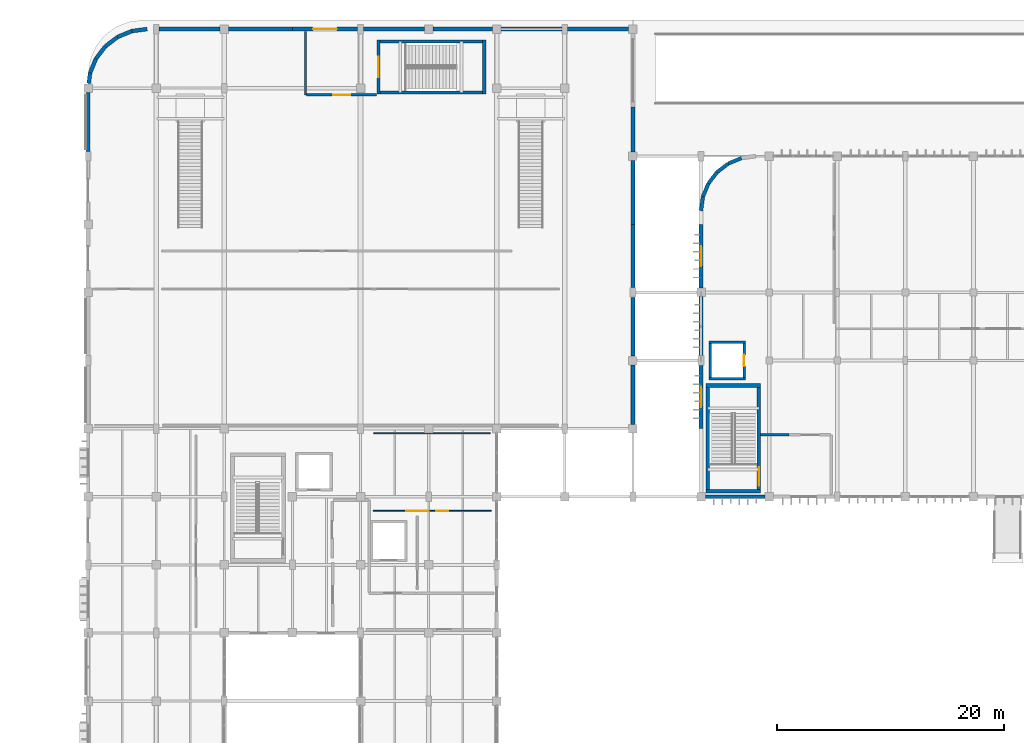
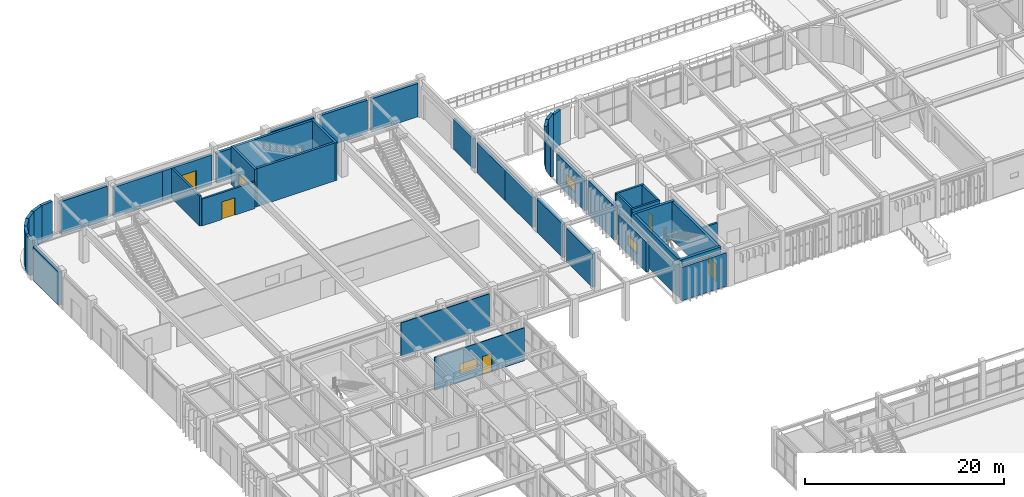
# One storey, part 46 of 76: 45 walls, 6 doors, 3 windows, 9 openings.
"""IFC4 building model written with IfcOpenShell, lengths in metres."""

import ifcopenshell
import ifcopenshell.guid

model = None  # the IFC model being written
_history = None  # IfcOwnerHistory: only IFC2X3 demands one
_inside = {}  # id of a spatial element -> (the spatial element, [elements in it])
_under = {}  # id of a project, library or spatial element -> (it, [spatial elements below it])
_declared = {}  # id of a project -> (the project, [libraries it declares])
_typed = {}  # id of a type object -> (the type object, [elements of that type])
_made_of = {}  # id of a material, layer set ... -> (it, [elements and type objects made of it])


def new_model(schema):
    """Start an empty IFC model of exactly this schema.

    Asked for "IFC4X3", IfcOpenShell would pick the latest addendum, in which some entities
    have other attributes; the version numbers below select the first issue.
    IFC2X3 requires an IfcOwnerHistory on every rooted entity: one is made here for all.
    """
    global model, _history
    if schema == "IFC4X3":
        model = ifcopenshell.file(schema_version=(4, 3, 0, 0))
    else:
        model = ifcopenshell.file(schema=schema)
    _inside.clear()
    _under.clear()
    _declared.clear()
    _typed.clear()
    _made_of.clear()
    _history = None
    if model.schema == "IFC2X3":
        org = make("IfcOrganization", Name="unknown")
        user = make(
            "IfcPersonAndOrganization",
            ThePerson=make("IfcPerson", FamilyName="unknown"),
            TheOrganization=org,
        )
        app = make(
            "IfcApplication",
            ApplicationDeveloper=org,
            Version="unknown",
            ApplicationFullName="unknown",
            ApplicationIdentifier="unknown",
        )
        _history = make(
            "IfcOwnerHistory",
            OwningUser=user,
            OwningApplication=app,
            ChangeAction="ADDED",
            CreationDate=0,
        )
    return model


def make(cls, **values):
    """One entity of the class cls with the attributes given. An attribute that is None is left unset."""
    return model.create_entity(
        cls, **{name: value for name, value in values.items() if value is not None}
    )


def rooted(cls, **values):
    """An entity with a GlobalId (a new one), such as an element, a storey or a relation."""
    return make(cls, GlobalId=ifcopenshell.guid.new(), OwnerHistory=_history, **values)


def si_unit(unit_type, name, prefix=None):
    """IfcSIUnit, for example si_unit("LENGTHUNIT", "METRE", prefix="MILLI")."""
    return make("IfcSIUnit", UnitType=unit_type, Prefix=prefix, Name=name)


def assignment(units):
    """IfcUnitAssignment: the units of a project."""
    return None if units is None else make("IfcUnitAssignment", Units=units)


def point(xyz):
    """IfcCartesianPoint."""
    return None if xyz is None else make("IfcCartesianPoint", Coordinates=xyz)


def direction(xyz):
    """IfcDirection."""
    return None if xyz is None else make("IfcDirection", DirectionRatios=xyz)


def frame(location, z_axis=None, x_axis=None):
    """IfcAxis2Placement3D, a coordinate frame: its origin and axes. An axis left out is left unset."""
    return make(
        "IfcAxis2Placement3D",
        Location=point(location),
        Axis=direction(z_axis),
        RefDirection=direction(x_axis),
    )


def frame_2d(location, x_axis=None):
    """IfcAxis2Placement2D, a coordinate frame in the plane: its origin and x axis."""
    return make(
        "IfcAxis2Placement2D", Location=point(location), RefDirection=direction(x_axis)
    )


def origin():
    """The frame at (0, 0, 0) with its axes left unset."""
    return frame((0.0, 0.0, 0.0))


def place(relative_to, where):
    """IfcLocalPlacement: puts the frame where relative to a parent placement (None: the world)."""
    return make(
        "IfcLocalPlacement", PlacementRelTo=relative_to, RelativePlacement=where
    )


def context(
    kind, dimensions, precision=None, world=None, true_north=None, identifier=None
):
    """IfcGeometricRepresentationContext, for example the 3D "Model" context."""
    return make(
        "IfcGeometricRepresentationContext",
        ContextIdentifier=identifier,
        ContextType=kind,
        CoordinateSpaceDimension=dimensions,
        Precision=precision,
        WorldCoordinateSystem=world,
        TrueNorth=true_north,
    )


def subcontext(parent, identifier, kind, view, scale=None):
    """IfcGeometricRepresentationSubContext, for example "Body" below "Model"."""
    return make(
        "IfcGeometricRepresentationSubContext",
        ContextIdentifier=identifier,
        ContextType=kind,
        ParentContext=parent,
        TargetScale=scale,
        TargetView=view,
    )


def project(units=None, contexts=None):
    """IfcProject with its units and contexts."""
    return rooted(
        "IfcProject",
        Name="project",
        RepresentationContexts=contexts,
        UnitsInContext=assignment(units),
    )


def spatial(cls, under=None, at=None, **own):
    """A site, building, storey or space (cls), placed at a placement, below another one or the project."""
    s = rooted(cls, ObjectPlacement=at, **own)
    if under is not None:
        _under.setdefault(under.id(), (under, []))[1].append(s)
    return s


def profile(cls, at=None, kind="AREA", **sizes):
    """A parametric profile (cls). Its sizes go by their IFC names, for example OverallWidth=200.0."""
    return make(cls, ProfileType=kind, Position=at, **sizes)


def rectangle(**sizes):
    """IfcRectangleProfileDef."""
    return profile("IfcRectangleProfileDef", **sizes)


def extrude(swept, where, along, depth):
    """IfcExtrudedAreaSolid: the profile swept, set in the frame where, extruded along a direction by depth."""
    return make(
        "IfcExtrudedAreaSolid",
        SweptArea=swept,
        Position=where,
        ExtrudedDirection=direction(along),
        Depth=depth,
    )


def shape(context_of_items, identifier, shape_type, items):
    """IfcShapeRepresentation: the items that make up one representation, for example the "Body"."""
    return make(
        "IfcShapeRepresentation",
        ContextOfItems=context_of_items,
        RepresentationIdentifier=identifier,
        RepresentationType=shape_type,
        Items=items,
    )


def material(Name=None, Category=None):
    """IfcMaterial."""
    return make("IfcMaterial", Name=Name, Category=Category)


def layer(
    of_material, thickness, ventilated=None, Name=None, Category=None, Priority=None
):
    """IfcMaterialLayer: one layer of a wall or slab, of a material (None: an air gap)."""
    return make(
        "IfcMaterialLayer",
        Material=of_material,
        LayerThickness=thickness,
        IsVentilated=ventilated,
        Name=Name,
        Category=Category,
        Priority=Priority,
    )


def layer_set(layers, Name=None):
    """IfcMaterialLayerSet."""
    return make("IfcMaterialLayerSet", MaterialLayers=layers, LayerSetName=Name)


def made_of(thing, what):
    """Note that an element or type object is made of a material, layer set ...; save() writes the relation."""
    if what is not None:
        _made_of.setdefault(what.id(), (what, []))[1].append(thing)
    return thing


def type_object(cls, material=None, **own):
    """A type object (cls), such as IfcWallType, which elements share."""
    return made_of(rooted(cls, **own), material)


def element(
    cls,
    number,
    at=None,
    inside=None,
    cuts=None,
    type_object=None,
    material=None,
    context=None,
    identifier="Body",
    shape_type=None,
    held_by="IfcProductDefinitionShape",
    body=None,
    shapes=None,
    **own,
):
    """One element of the class cls, such as IfcWall. Its Tag is "e" and its number.

    at: its placement. inside: the storey or other place that contains it. cuts: it is an
    opening in that element (IfcRelVoidsElement). A single representation is given by context,
    identifier, shape_type and body (its items); several are given by shapes. held_by: the class
    of the entity that holds the representations. save() writes the other relations.
    """
    e = rooted(cls, Tag="e%d" % number, ObjectPlacement=at, **own)
    if body is not None:
        shapes = [shape(context, identifier, shape_type, body)]
    if shapes is not None:
        e.Representation = make(held_by, Representations=shapes)
    if inside is not None:
        _inside.setdefault(inside.id(), (inside, []))[1].append(e)
    if cuts is not None:
        rooted(
            "IfcRelVoidsElement", RelatingBuildingElement=cuts, RelatedOpeningElement=e
        )
    if type_object is not None:
        _typed.setdefault(type_object.id(), (type_object, []))[1].append(e)
    return made_of(e, material)


def fill(opening, filler):
    """IfcRelFillsElement: the door or window that sits in an opening."""
    return rooted(
        "IfcRelFillsElement",
        RelatingOpeningElement=opening,
        RelatedBuildingElement=filler,
    )


def aggregate(whole, parts):
    """IfcRelAggregates: a whole, such as a stair, and the parts it consists of."""
    return rooted("IfcRelAggregates", RelatingObject=whole, RelatedObjects=parts)


def save(model, path):
    """Write the relations noted so far, then the file.

    IfcRelAggregates (storeys below a building ...), IfcRelContainedInSpatialStructure (elements
    in a storey), IfcRelDefinesByType, IfcRelAssociatesMaterial and IfcRelDeclares: one each for
    every whole, place, type object, material and project.
    """
    for whole, parts in _under.values():
        aggregate(whole, parts)
    for where, things in _inside.values():
        rooted(
            "IfcRelContainedInSpatialStructure",
            RelatedElements=things,
            RelatingStructure=where,
        )
    for kind, things in _typed.values():
        rooted("IfcRelDefinesByType", RelatedObjects=things, RelatingType=kind)
    for what, things in _made_of.values():
        rooted("IfcRelAssociatesMaterial", RelatedObjects=things, RelatingMaterial=what)
    for by, libraries in _declared.values():
        rooted("IfcRelDeclares", RelatingContext=by, RelatedDefinitions=libraries)
    model.write(path)


model = new_model("IFC4")

# Units and contexts
model_context = context("Model", 3, precision=1e-05, world=origin(), true_north=direction((0.0, 1.0)))
body_context = subcontext(model_context, "Body", "Model", "MODEL_VIEW")
ifc_project = project(units=[si_unit("LENGTHUNIT", "METRE"), si_unit("AREAUNIT", "SQUARE_METRE"), si_unit("VOLUMEUNIT", "CUBIC_METRE"), si_unit("PLANEANGLEUNIT", "RADIAN"), si_unit("MASSUNIT", "GRAM", prefix="KILO")], contexts=[model_context])

# Site, building, storey
site_placement = place(None, origin())
site = spatial("IfcSite", under=ifc_project, at=site_placement, CompositionType="ELEMENT")
building_placement = place(site_placement, origin())
building = spatial("IfcBuilding", under=site, at=building_placement, Name="Varnakota Square Police Headquarters", CompositionType="ELEMENT")
storey_placement = place(building_placement, origin())
storey = spatial("IfcBuildingStorey", under=building, at=storey_placement, Name="L00", CompositionType="ELEMENT", Elevation=0.0)

# Wall
ifc_material_1 = material(Name="Concrete M40", Category="concrete")
ifc_layer_1 = layer(ifc_material_1, 0.22998046875, Name="Concrete M40")
ifc_layer_set_1 = layer_set([ifc_layer_1], Name="Concrete M40")
wall_type_1 = type_object("IfcWallType", Name="WL-CORE-230", PredefinedType="SHEAR", material=ifc_layer_set_1)
wall_1_placement = place(storey_placement, frame((60.68505859375, 79.39990234375, 0.0), z_axis=(0.0, 0.0, 1.0), x_axis=(1.0, 0.0, 0.0)))
element("IfcWall", 1, at=wall_1_placement, inside=storey, type_object=wall_type_1, Name="Lift shaft wall LF-P4 L00 S", PredefinedType="SHEAR", context=body_context, shape_type="SweptSolid", body=[
    extrude(rectangle(XDim=3.22998046875, YDim=0.22998046875, at=frame_2d((1.614990234375, 0.0))), origin(), (0.0, 0.0, 1.0), 4.800048828125),
])

# Wall, opening, door
wall_2_placement = place(storey_placement, frame((63.800048828125, 79.284912109375, 0.0), z_axis=(0.0, 0.0, 1.0), x_axis=(0.0, 1.0, 0.0)))
wall_2 = element("IfcWall", 2, at=wall_2_placement, inside=storey, type_object=wall_type_1, Name="Lift shaft wall LF-P4 L00 E", PredefinedType="SHEAR", context=body_context, shape_type="SweptSolid", body=[
    extrude(rectangle(XDim=3.43017578125, YDim=0.22998046875, at=frame_2d((1.715087890625, 0.0))), origin(), (0.0, 0.0, 1.0), 4.800048828125),
])
opening_1_placement = place(wall_2_placement, frame((1.215087890625, 0.0, 0.0)))
opening_1 = element("IfcOpeningElement", 3, at=opening_1_placement, cuts=wall_2, Name="Opening LD039", PredefinedType="OPENING", context=body_context, shape_type="SweptSolid", body=[
    extrude(rectangle(XDim=1.0, YDim=2.14990234375, at=frame_2d((0.5, 1.074951171875))), frame((0.0, 0.125, 0.0), z_axis=(0.0, -1.0, 0.0), x_axis=(1.0, 0.0, 0.0)), (0.0, 0.0, 1.0), 0.25),
])
ifc_material_2 = material(Name="Brushed Grade 316 Stainless Steel", Category="steel")
door_type_1 = type_object("IfcDoorType", Name="DR-LD-PAX", OperationType="NOTDEFINED", PredefinedType="DOOR", material=ifc_material_2)
door_1_placement = place(opening_1_placement, origin())
door_1 = element("IfcDoor", 4, at=door_1_placement, inside=storey, type_object=door_type_1, Name="Lift sliding landing door LD039", OperationType="SLIDING_TO_LEFT", OverallHeight=2.14990234375, OverallWidth=1.0, PredefinedType="DOOR", context=body_context, shape_type="SweptSolid", body=[
    extrude(rectangle(XDim=1.0, YDim=2.14990234375, at=frame_2d((0.5, 1.074951171875))), frame((0.0, 0.02490234375, 0.0), z_axis=(0.0, -1.0, 0.0), x_axis=(1.0, 0.0, 0.0)), (0.0, 0.0, 1.0), 0.050048828125),
])
fill(opening_1, door_1)

# Walls
wall_3_placement = place(storey_placement, frame((63.9150390625, 82.60009765625, 0.0), z_axis=(0.0, 0.0, 1.0), x_axis=(-1.0, 0.0, 0.0)))
element("IfcWall", 5, at=wall_3_placement, inside=storey, type_object=wall_type_1, Name="Lift shaft wall LF-P4 L00 N", PredefinedType="SHEAR", context=body_context, shape_type="SweptSolid", body=[
    extrude(rectangle(XDim=3.22998046875, YDim=0.22998046875, at=frame_2d((1.614990234375, 0.0))), origin(), (0.0, 0.0, 1.0), 4.800048828125),
])
wall_4_placement = place(storey_placement, frame((60.800048828125, 82.715087890625, 0.0), z_axis=(0.0, 0.0, 1.0), x_axis=(0.0, -1.0, 0.0)))
element("IfcWall", 6, at=wall_4_placement, inside=storey, type_object=wall_type_1, Name="Lift shaft wall LF-P4 L00 W", PredefinedType="SHEAR", context=body_context, shape_type="SweptSolid", body=[
    extrude(rectangle(XDim=3.43017578125, YDim=0.22998046875, at=frame_2d((1.715087890625, 0.0))), origin(), (0.0, 0.0, 1.0), 4.800048828125),
])
ifc_material_3 = material(Name="Concrete M50", Category="concrete")
ifc_layer_2 = layer(ifc_material_3, 0.27001953125, Name="Concrete M50")
ifc_layer_set_2 = layer_set([ifc_layer_2], Name="Concrete M50")
wall_type_2 = type_object("IfcWallType", Name="WL-CORE-270", PredefinedType="SHEAR", material=ifc_layer_set_2)
wall_5_placement = place(storey_placement, frame((31.465087890625, 104.60009765625, 0.0), z_axis=(0.0, 0.0, 1.0), x_axis=(1.0, 0.0, 0.0)))
element("IfcWall", 7, at=wall_5_placement, inside=storey, type_object=wall_type_2, Name="Core C7 shear wall L00 S", PredefinedType="SHEAR", context=body_context, shape_type="SweptSolid", body=[
    extrude(rectangle(XDim=9.56982421875, YDim=0.27001953125, at=frame_2d((4.784912109375, 0.0))), origin(), (0.0, 0.0, 1.0), 4.659912109375),
])
wall_6_placement = place(storey_placement, frame((40.89990234375, 104.465087890625, 0.0), z_axis=(0.0, 0.0, 1.0), x_axis=(0.0, 1.0, 0.0)))
element("IfcWall", 8, at=wall_6_placement, inside=storey, type_object=wall_type_2, Name="Core C7 shear wall L00 E", PredefinedType="SHEAR", context=body_context, shape_type="SweptSolid", body=[
    extrude(rectangle(XDim=4.77001953125, YDim=0.27001953125, at=frame_2d((2.385009765625, 0.0))), origin(), (0.0, 0.0, 1.0), 4.659912109375),
])
wall_7_placement = place(storey_placement, frame((41.034912109375, 109.10009765625, 0.0), z_axis=(0.0, 0.0, 1.0), x_axis=(-1.0, 0.0, 0.0)))
element("IfcWall", 9, at=wall_7_placement, inside=storey, type_object=wall_type_2, Name="Core C7 shear wall L00 N", PredefinedType="SHEAR", context=body_context, shape_type="SweptSolid", body=[
    extrude(rectangle(XDim=9.56982421875, YDim=0.27001953125, at=frame_2d((4.784912109375, 0.0))), origin(), (0.0, 0.0, 1.0), 4.659912109375),
])

# Wall, opening, door
wall_8_placement = place(storey_placement, frame((31.60009765625, 109.235107421875, 0.0), z_axis=(0.0, 0.0, 1.0), x_axis=(0.0, -1.0, 0.0)))
wall_8 = element("IfcWall", 10, at=wall_8_placement, inside=storey, type_object=wall_type_2, Name="Core C7 shear wall L00 W", PredefinedType="SHEAR", context=body_context, shape_type="SweptSolid", body=[
    extrude(rectangle(XDim=4.77001953125, YDim=0.27001953125, at=frame_2d((2.385009765625, 0.0))), origin(), (0.0, 0.0, 1.0), 4.659912109375),
])
opening_2_placement = place(wall_8_placement, frame((1.485107421875, 0.0, 0.0)))
opening_2 = element("IfcOpeningElement", 11, at=opening_2_placement, cuts=wall_8, Name="Opening SD104", PredefinedType="OPENING", context=body_context, shape_type="SweptSolid", body=[
    extrude(rectangle(XDim=1.800048828125, YDim=2.199951171875, at=frame_2d((0.89990234375, 1.10009765625))), frame((0.0, 0.14501953125, 0.0), z_axis=(0.0, -1.0, 0.0), x_axis=(1.0, 0.0, 0.0)), (0.0, 0.0, 1.0), 0.2900390625),
])
ifc_material_4 = material(Name="Powder-Coated Galvanised Steel", Category="steel")
door_type_2 = type_object("IfcDoorType", Name="DR-ST-180", OperationType="NOTDEFINED", PredefinedType="DOOR", material=ifc_material_4)
door_2_placement = place(opening_2_placement, origin())
door_2 = element("IfcDoor", 12, at=door_2_placement, inside=storey, type_object=door_type_2, Name="Protected stair door SD104", OperationType="DOUBLE_DOOR_SINGLE_SWING", OverallHeight=2.199951171875, OverallWidth=1.800048828125, PredefinedType="DOOR", context=body_context, shape_type="SweptSolid", body=[
    extrude(rectangle(XDim=1.800048828125, YDim=2.199951171875, at=frame_2d((0.89990234375, 1.10009765625))), frame((0.0, 0.02490234375, 0.0), z_axis=(0.0, -1.0, 0.0), x_axis=(1.0, 0.0, 0.0)), (0.0, 0.0, 1.0), 0.050048828125),
])
fill(opening_2, door_2)

# Wall
ifc_layer_3 = layer(ifc_material_3, 0.31005859375, Name="Concrete M50")
ifc_layer_set_3 = layer_set([ifc_layer_3], Name="Concrete M50")
wall_type_3 = type_object("IfcWallType", Name="WL-CORE-310", PredefinedType="SHEAR", material=ifc_layer_set_3)
wall_9_placement = place(storey_placement, frame((60.445068359375, 69.5, 0.0), z_axis=(0.0, 0.0, 1.0), x_axis=(1.0, 0.0, 0.0)))
element("IfcWall", 13, at=wall_9_placement, inside=storey, type_object=wall_type_3, Name="Core C6 shear wall L00 S", PredefinedType="SHEAR", context=body_context, shape_type="SweptSolid", body=[
    extrude(rectangle(XDim=4.809814453125, YDim=0.31005859375, at=frame_2d((2.40478515625, 0.0))), origin(), (0.0, 0.0, 1.0), 4.659912109375),
])

# Wall, opening, door
wall_10_placement = place(storey_placement, frame((65.10009765625, 69.344970703125, 0.0), z_axis=(0.0, 0.0, 1.0), x_axis=(0.0, 1.0, 0.0)))
wall_10 = element("IfcWall", 14, at=wall_10_placement, inside=storey, type_object=wall_type_3, Name="Core C6 shear wall L00 E", PredefinedType="SHEAR", context=body_context, shape_type="SweptSolid", body=[
    extrude(rectangle(XDim=9.610107421875, YDim=0.31005859375, at=frame_2d((4.80517578125, 0.0))), origin(), (0.0, 0.0, 1.0), 4.659912109375),
])
opening_3_placement = place(wall_10_placement, frame((0.635009765625, 0.0, 0.0)))
opening_3 = element("IfcOpeningElement", 15, at=opening_3_placement, cuts=wall_10, Name="Opening SD092", PredefinedType="OPENING", context=body_context, shape_type="SweptSolid", body=[
    extrude(rectangle(XDim=1.60009765625, YDim=2.199951171875, at=frame_2d((0.800048828125, 1.10009765625))), frame((0.0, 0.1650390625, 0.0), z_axis=(0.0, -1.0, 0.0), x_axis=(1.0, 0.0, 0.0)), (0.0, 0.0, 1.0), 0.330078125),
])
door_type_3 = type_object("IfcDoorType", Name="DR-ST-160", OperationType="NOTDEFINED", PredefinedType="DOOR", material=ifc_material_4)
door_3_placement = place(opening_3_placement, origin())
door_3 = element("IfcDoor", 16, at=door_3_placement, inside=storey, type_object=door_type_3, Name="Protected stair door SD092", OperationType="DOUBLE_DOOR_SINGLE_SWING", OverallHeight=2.199951171875, OverallWidth=1.60009765625, PredefinedType="DOOR", context=body_context, shape_type="SweptSolid", body=[
    extrude(rectangle(XDim=1.60009765625, YDim=2.199951171875, at=frame_2d((0.800048828125, 1.10009765625))), frame((0.0, 0.02490234375, 0.0), z_axis=(0.0, -1.0, 0.0), x_axis=(1.0, 0.0, 0.0)), (0.0, 0.0, 1.0), 0.050048828125),
])
fill(opening_3, door_3)

# Walls
wall_11_placement = place(storey_placement, frame((65.2548828125, 78.800048828125, 0.0), z_axis=(0.0, 0.0, 1.0), x_axis=(-1.0, 0.0, 0.0)))
element("IfcWall", 17, at=wall_11_placement, inside=storey, type_object=wall_type_3, Name="Core C6 shear wall L00 N", PredefinedType="SHEAR", context=body_context, shape_type="SweptSolid", body=[
    extrude(rectangle(XDim=4.809814453125, YDim=0.31005859375, at=frame_2d((2.40478515625, 0.0))), origin(), (0.0, 0.0, 1.0), 4.659912109375),
])
wall_12_placement = place(storey_placement, frame((60.60009765625, 78.955078125, 0.0), z_axis=(0.0, 0.0, 1.0), x_axis=(0.0, -1.0, 0.0)))
element("IfcWall", 18, at=wall_12_placement, inside=storey, type_object=wall_type_3, Name="Core C6 shear wall L00 W", PredefinedType="SHEAR", context=body_context, shape_type="SweptSolid", body=[
    extrude(rectangle(XDim=9.610107421875, YDim=0.31005859375, at=frame_2d((4.80517578125, 0.0))), origin(), (0.0, 0.0, 1.0), 4.659912109375),
])
ifc_layer_4 = layer(ifc_material_1, 0.280029296875, Name="Concrete M40")
ifc_layer_set_4 = layer_set([ifc_layer_4], Name="Concrete M40")
wall_type_4 = type_object("IfcWallType", Name="WL-EXT-280", PredefinedType="SOLIDWALL", material=ifc_layer_set_4)
wall_13_placement = place(storey_placement, frame((60.37890625, 69.0, 0.0), z_axis=(0.0, 0.0, 1.0), x_axis=(1.0, 0.0, 0.0)))
element("IfcWall", 19, at=wall_13_placement, inside=storey, type_object=wall_type_4, Name="Exterior wall EW-L00-0470", PredefinedType="SOLIDWALL", context=body_context, shape_type="SweptSolid", body=[
    extrude(rectangle(XDim=5.2421875, YDim=0.280029296875, at=frame_2d((2.62109375, 0.0))), origin(), (0.0, 0.0, 1.0), 4.090087890625),
])

# Wall, opening, window
ifc_material_5 = material(Name="Precast concrete M40", Category="concrete")
ifc_layer_5 = layer(ifc_material_5, 0.320068359375, Name="Precast concrete M40")
ifc_layer_set_5 = layer_set([ifc_layer_5], Name="Precast concrete M40")
wall_type_5 = type_object("IfcWallType", Name="WL-EXT-320", PredefinedType="SOLIDWALL", material=ifc_layer_set_5)
wall_14_placement = place(storey_placement, frame((60.0, 75.0, 0.0), z_axis=(0.0, 0.0, 1.0), x_axis=(0.0, 1.0, 0.0)))
wall_14 = element("IfcWall", 20, at=wall_14_placement, inside=storey, type_object=wall_type_5, Name="Exterior wall EW-L00-0473", PredefinedType="SOLIDWALL", context=body_context, shape_type="SweptSolid", body=[
    extrude(rectangle(XDim=5.571044921875, YDim=0.320068359375, at=frame_2d((2.78564453125, 0.0))), origin(), (0.0, 0.0, 1.0), 3.68994140625),
])
opening_4_placement = place(wall_14_placement, frame((1.885498046875, 0.0, 1.10009765625)))
opening_4 = element("IfcOpeningElement", 21, at=opening_4_placement, cuts=wall_14, Name="Opening W05", PredefinedType="OPENING", context=body_context, shape_type="SweptSolid", body=[
    extrude(rectangle(XDim=1.800048828125, YDim=1.199951171875, at=frame_2d((0.89990234375, 0.60009765625))), frame((0.0, 0.169921875, 0.0), z_axis=(0.0, -1.0, 0.0), x_axis=(1.0, 0.0, 0.0)), (0.0, 0.0, 1.0), 0.340087890625),
])
ifc_material_6 = material(Name="Thermally Broken Aluminium Double-Glazed Window", Category="aluminium")
window_type_1 = type_object("IfcWindowType", Name="WIN-05", PartitioningType="SINGLE_PANEL", PredefinedType="WINDOW", material=ifc_material_6)
window_1_placement = place(opening_4_placement, origin())
window_1 = element("IfcWindow", 22, at=window_1_placement, inside=storey, type_object=window_type_1, Name="Window WN-L00-0115", OverallHeight=1.199951171875, OverallWidth=1.800048828125, PartitioningType="SINGLE_PANEL", PredefinedType="WINDOW", context=body_context, shape_type="SweptSolid", body=[
    extrude(rectangle(XDim=1.800048828125, YDim=1.199951171875, at=frame_2d((0.89990234375, 0.60009765625))), frame((0.0, 0.030029296875, 0.0), z_axis=(0.0, -1.0, 0.0), x_axis=(1.0, 0.0, 0.0)), (0.0, 0.0, 1.0), 0.06005859375),
])
fill(opening_4, window_1)

# Wall
wall_15_placement = place(storey_placement, frame((60.0, 81.428955078125, 0.0), z_axis=(0.0, 0.0, 1.0), x_axis=(0.0, 1.0, 0.0)))
element("IfcWall", 23, at=wall_15_placement, inside=storey, type_object=wall_type_5, Name="Exterior wall EW-L00-0474", PredefinedType="SOLIDWALL", context=body_context, shape_type="SweptSolid", body=[
    extrude(rectangle(XDim=5.192138671875, YDim=0.320068359375, at=frame_2d((2.59619140625, 0.0))), origin(), (0.0, 0.0, 1.0), 4.166015625),
])

# Wall, opening, window
wall_16_placement = place(storey_placement, frame((60.0, 87.37890625, 0.0), z_axis=(0.0, 0.0, 1.0), x_axis=(0.0, 1.0, 0.0)))
wall_16 = element("IfcWall", 24, at=wall_16_placement, inside=storey, type_object=wall_type_5, Name="Exterior wall EW-L00-0475", PredefinedType="SOLIDWALL", context=body_context, shape_type="SweptSolid", body=[
    extrude(rectangle(XDim=5.62109375, YDim=0.320068359375, at=frame_2d((2.810546875, 0.0))), origin(), (0.0, 0.0, 1.0), 3.68994140625),
])
opening_5_placement = place(wall_16_placement, frame((1.910400390625, 0.0, 1.10009765625)))
opening_5 = element("IfcOpeningElement", 25, at=opening_5_placement, cuts=wall_16, Name="Opening W05", PredefinedType="OPENING", context=body_context, shape_type="SweptSolid", body=[
    extrude(rectangle(XDim=1.800048828125, YDim=1.199951171875, at=frame_2d((0.89990234375, 0.60009765625))), frame((0.0, 0.169921875, 0.0), z_axis=(0.0, -1.0, 0.0), x_axis=(1.0, 0.0, 0.0)), (0.0, 0.0, 1.0), 0.340087890625),
])
window_2_placement = place(opening_5_placement, origin())
window_2 = element("IfcWindow", 26, at=window_2_placement, inside=storey, type_object=window_type_1, Name="Window WN-L00-0116", OverallHeight=1.199951171875, OverallWidth=1.800048828125, PartitioningType="SINGLE_PANEL", PredefinedType="WINDOW", context=body_context, shape_type="SweptSolid", body=[
    extrude(rectangle(XDim=1.800048828125, YDim=1.199951171875, at=frame_2d((0.89990234375, 0.60009765625))), frame((0.0, 0.030029296875, 0.0), z_axis=(0.0, -1.0, 0.0), x_axis=(1.0, 0.0, 0.0)), (0.0, 0.0, 1.0), 0.06005859375),
])
fill(opening_5, window_2)

# Walls
wall_17_placement = place(storey_placement, frame((63.5576171875, 98.83642578125, 0.0), z_axis=(0.0, 0.0, 1.0), x_axis=(-0.92389335771, -0.382650053678, 0.0)))
element("IfcWall", 27, at=wall_17_placement, inside=storey, type_object=wall_type_5, Name="Exterior wall EW-L00-0477", PredefinedType="SOLIDWALL", context=body_context, shape_type="SweptSolid", body=[
    extrude(rectangle(XDim=1.253173828125, YDim=0.320068359375, at=frame_2d((0.62646484375, 0.0))), origin(), (0.0, 0.0, 1.0), 4.239990234375),
])
for number, where, z_axis, x_axis, name in (
    (28, (62.39990234375, 98.35693359375, 0.0), (0.0, 0.0, 1.0), (-0.793239285824, -0.60891003886, 0.0), "Exterior wall EW-L00-0478"),
    (29, (61.406005859375, 97.593994140625, 0.0), (0.0, 0.0, 1.0), (-0.60891003886, -0.793239285824, 0.0), "Exterior wall EW-L00-0479"),
):
    element("IfcWall", number, at=place(storey_placement, frame(where, z_axis=z_axis, x_axis=x_axis)), inside=storey, type_object=wall_type_5, Name=name, PredefinedType="SOLIDWALL", context=body_context, shape_type="SweptSolid", body=[
        extrude(rectangle(XDim=1.2529296875, YDim=0.320068359375, at=frame_2d((0.62646484375, 0.0))), origin(), (0.0, 0.0, 1.0), 4.4951171875),
    ])
for number, where, z_axis, x_axis, name in (
    (30, (60.64306640625, 96.60009765625, 0.0), (0.0, 0.0, 1.0), (-0.382650053678, -0.92389335771, 0.0), "Exterior wall EW-L00-0480"),
    (31, (60.16357421875, 95.4423828125, 0.0), (0.0, 0.0, 1.0), (-0.130530106475, -0.991444346045, 0.0), "Exterior wall EW-L00-0481"),
):
    element("IfcWall", number, at=place(storey_placement, frame(where, z_axis=z_axis, x_axis=x_axis)), inside=storey, type_object=wall_type_5, Name=name, PredefinedType="SOLIDWALL", context=body_context, shape_type="SweptSolid", body=[
        extrude(rectangle(XDim=1.253173828125, YDim=0.320068359375, at=frame_2d((0.62646484375, 0.0))), origin(), (0.0, 0.0, 1.0), 3.68994140625),
    ])
wall_18_placement = place(storey_placement, frame((54.0, 75.37890625, 0.0), z_axis=(0.0, 0.0, 1.0), x_axis=(0.0, 1.0, 0.0)))
element("IfcWall", 32, at=wall_18_placement, inside=storey, type_object=wall_type_5, Name="Exterior wall EW-L00-0568", PredefinedType="SOLIDWALL", context=body_context, shape_type="SweptSolid", body=[
    extrude(rectangle(XDim=5.2421875, YDim=0.320068359375, at=frame_2d((2.62109375, 0.0))), origin(), (0.0, 0.0, 1.0), 4.08349609375),
])
wall_19_placement = place(storey_placement, frame((54.0, 81.37890625, 0.0), z_axis=(0.0, 0.0, 1.0), x_axis=(0.0, 1.0, 0.0)))
element("IfcWall", 33, at=wall_19_placement, inside=storey, type_object=wall_type_5, Name="Exterior wall EW-L00-0569", PredefinedType="SOLIDWALL", context=body_context, shape_type="SweptSolid", body=[
    extrude(rectangle(XDim=5.192138671875, YDim=0.320068359375, at=frame_2d((2.59619140625, 0.0))), origin(), (0.0, 0.0, 1.0), 4.08349609375),
])
wall_20_placement = place(storey_placement, frame((54.0, 87.428955078125, 0.0), z_axis=(0.0, 0.0, 1.0), x_axis=(0.0, 1.0, 0.0)))
element("IfcWall", 34, at=wall_20_placement, inside=storey, type_object=wall_type_5, Name="Exterior wall EW-L00-0570", PredefinedType="SOLIDWALL", context=body_context, shape_type="SweptSolid", body=[
    extrude(rectangle(XDim=5.571044921875, YDim=0.320068359375, at=frame_2d((2.78564453125, 0.0))), origin(), (0.0, 0.0, 1.0), 3.68994140625),
])
wall_21_placement = place(storey_placement, frame((54.0, 93.0, 0.0), z_axis=(0.0, 0.0, 1.0), x_axis=(0.0, 1.0, 0.0)))
element("IfcWall", 35, at=wall_21_placement, inside=storey, type_object=wall_type_5, Name="Exterior wall EW-L00-0571", PredefinedType="SOLIDWALL", context=body_context, shape_type="SweptSolid", body=[
    extrude(rectangle(XDim=5.62109375, YDim=0.320068359375, at=frame_2d((2.810546875, 0.0))), origin(), (0.0, 0.0, 1.0), 3.68994140625),
])
wall_22_placement = place(storey_placement, frame((54.0, 99.37890625, 0.0), z_axis=(0.0, 0.0, 1.0), x_axis=(0.0, 1.0, 0.0)))
element("IfcWall", 36, at=wall_22_placement, inside=storey, type_object=wall_type_5, Name="Exterior wall EW-L00-0572", PredefinedType="SOLIDWALL", context=body_context, shape_type="SweptSolid", body=[
    extrude(rectangle(XDim=3.97119140625, YDim=0.320068359375, at=frame_2d((1.985595703125, 0.0))), origin(), (0.0, 0.0, 1.0), 3.68994140625),
])
ifc_layer_6 = layer(ifc_material_1, 0.340087890625, Name="Concrete M40")
ifc_layer_set_6 = layer_set([ifc_layer_6], Name="Concrete M40")
wall_type_6 = type_object("IfcWallType", Name="WL-EXT-340", PredefinedType="SOLIDWALL", material=ifc_layer_set_6)
wall_23_placement = place(storey_placement, frame((6.0, 99.428955078125, 0.0), z_axis=(0.0, 0.0, 1.0), x_axis=(0.0, 1.0, 0.0)))
element("IfcWall", 37, at=wall_23_placement, inside=storey, type_object=wall_type_6, Name="Exterior wall EW-L00-0560", PredefinedType="SOLIDWALL", context=body_context, shape_type="SweptSolid", body=[
    extrude(rectangle(XDim=5.192138671875, YDim=0.340087890625, at=frame_2d((2.59619140625, 0.0))), origin(), (0.0, 0.0, 1.0), 4.090087890625),
])
wall_24_placement = place(storey_placement, frame((12.25390625, 110.199951171875, 0.0), z_axis=(0.0, 0.0, 1.0), x_axis=(1.0, 0.0, 0.0)))
element("IfcWall", 38, at=wall_24_placement, inside=storey, type_object=wall_type_6, Name="Exterior wall EW-L00-0561", PredefinedType="SOLIDWALL", context=body_context, shape_type="SweptSolid", body=[
    extrude(rectangle(XDim=5.3671875, YDim=0.340087890625, at=frame_2d((2.68359375, 0.0))), origin(), (0.0, 0.0, 1.0), 4.08349609375),
])
wall_25_placement = place(storey_placement, frame((18.37890625, 110.199951171875, 0.0), z_axis=(0.0, 0.0, 1.0), x_axis=(1.0, 0.0, 0.0)))
element("IfcWall", 39, at=wall_25_placement, inside=storey, type_object=wall_type_6, Name="Exterior wall EW-L00-0562", PredefinedType="SOLIDWALL", context=body_context, shape_type="SweptSolid", body=[
    extrude(rectangle(XDim=5.62109375, YDim=0.340087890625, at=frame_2d((2.810546875, 0.0))), origin(), (0.0, 0.0, 1.0), 3.68994140625),
])

# Wall, opening, door
wall_26_placement = place(storey_placement, frame((24.0, 110.199951171875, 0.0), z_axis=(0.0, 0.0, 1.0), x_axis=(1.0, 0.0, 0.0)))
wall_26 = element("IfcWall", 40, at=wall_26_placement, inside=storey, type_object=wall_type_6, Name="Exterior wall EW-L00-0563", PredefinedType="SOLIDWALL", context=body_context, shape_type="SweptSolid", body=[
    extrude(rectangle(XDim=5.74609375, YDim=0.340087890625, at=frame_2d((2.873046875, 0.0))), origin(), (0.0, 0.0, 1.0), 3.68994140625),
])
opening_6_placement = place(wall_26_placement, frame((1.822998046875, 0.0, 0.0)))
opening_6 = element("IfcOpeningElement", 41, at=opening_6_placement, cuts=wall_26, Name="Opening ED21", PredefinedType="OPENING", context=body_context, shape_type="SweptSolid", body=[
    extrude(rectangle(XDim=2.10009765625, YDim=2.39990234375, at=frame_2d((1.050048828125, 1.199951171875))), frame((0.0, 0.179931640625, 0.0), z_axis=(0.0, -1.0, 0.0), x_axis=(1.0, 0.0, 0.0)), (0.0, 0.0, 1.0), 0.360107421875),
])
ifc_material_7 = material(Name="Anodised Aluminium Glazed Exit Door", Category="aluminium")
door_type_4 = type_object("IfcDoorType", Name="DR-EXT-ED210", OperationType="NOTDEFINED", PredefinedType="DOOR", material=ifc_material_7)
door_4_placement = place(opening_6_placement, origin())
door_4 = element("IfcDoor", 42, at=door_4_placement, inside=storey, type_object=door_type_4, Name="Exterior door ED21", OperationType="DOUBLE_DOOR_SINGLE_SWING", OverallHeight=2.39990234375, OverallWidth=2.10009765625, PredefinedType="DOOR", context=body_context, shape_type="SweptSolid", body=[
    extrude(rectangle(XDim=2.10009765625, YDim=2.39990234375, at=frame_2d((1.050048828125, 1.199951171875))), frame((0.0, 0.02490234375, 0.0), z_axis=(0.0, -1.0, 0.0), x_axis=(1.0, 0.0, 0.0)), (0.0, 0.0, 1.0), 0.050048828125),
])
fill(opening_6, door_4)

# Walls
wall_27_placement = place(storey_placement, frame((30.25390625, 110.199951171875, 0.0), z_axis=(0.0, 0.0, 1.0), x_axis=(1.0, 0.0, 0.0)))
element("IfcWall", 43, at=wall_27_placement, inside=storey, type_object=wall_type_6, Name="Exterior wall EW-L00-0564", PredefinedType="SOLIDWALL", context=body_context, shape_type="SweptSolid", body=[
    extrude(rectangle(XDim=5.3671875, YDim=0.340087890625, at=frame_2d((2.68359375, 0.0))), origin(), (0.0, 0.0, 1.0), 3.68994140625),
])
wall_28_placement = place(storey_placement, frame((36.37890625, 110.199951171875, 0.0), z_axis=(0.0, 0.0, 1.0), x_axis=(1.0, 0.0, 0.0)))
element("IfcWall", 44, at=wall_28_placement, inside=storey, type_object=wall_type_6, Name="Exterior wall EW-L00-0565", PredefinedType="SOLIDWALL", context=body_context, shape_type="SweptSolid", body=[
    extrude(rectangle(XDim=5.2421875, YDim=0.340087890625, at=frame_2d((2.62109375, 0.0))), origin(), (0.0, 0.0, 1.0), 4.08349609375),
])
for number, where, z_axis, x_axis, name in (
    (45, (42.37890625, 110.199951171875, 0.0), (0.0, 0.0, 1.0), (1.0, 0.0, 0.0), "Exterior wall EW-L00-0566"),
    (46, (48.25390625, 110.199951171875, 0.0), (0.0, 0.0, 1.0), (1.0, 0.0, 0.0), "Exterior wall EW-L00-0567"),
):
    element("IfcWall", number, at=place(storey_placement, frame(where, z_axis=z_axis, x_axis=x_axis)), inside=storey, type_object=wall_type_6, Name=name, PredefinedType="SOLIDWALL", context=body_context, shape_type="SweptSolid", body=[
        extrude(rectangle(XDim=5.3671875, YDim=0.340087890625, at=frame_2d((2.68359375, 0.0))), origin(), (0.0, 0.0, 1.0), 4.08349609375),
    ])
wall_29_placement = place(storey_placement, frame((11.199951171875, 110.199951171875, 0.0), z_axis=(0.0, 0.0, 1.0), x_axis=(-0.991440211328, -0.130561507967, 0.0)))
element("IfcWall", 47, at=wall_29_placement, inside=storey, type_object=wall_type_6, Name="Exterior wall EW-L00-0573", PredefinedType="SOLIDWALL", context=body_context, shape_type="SweptSolid", body=[
    extrude(rectangle(XDim=1.357666015625, YDim=0.340087890625, at=frame_2d((0.6787109375, 0.0))), origin(), (0.0, 0.0, 1.0), 4.4951171875),
])
wall_30_placement = place(storey_placement, frame((9.85400390625, 110.022705078125, 0.0), z_axis=(0.0, 0.0, 1.0), x_axis=(-0.923905024937, -0.382621882407, 0.0)))
element("IfcWall", 48, at=wall_30_placement, inside=storey, type_object=wall_type_6, Name="Exterior wall EW-L00-0574", PredefinedType="SOLIDWALL", context=body_context, shape_type="SweptSolid", body=[
    extrude(rectangle(XDim=1.357177734375, YDim=0.340087890625, at=frame_2d((0.6787109375, 0.0))), origin(), (0.0, 0.0, 1.0), 4.4951171875),
])
wall_31_placement = place(storey_placement, frame((8.60009765625, 109.50341796875, 0.0), z_axis=(0.0, 0.0, 1.0), x_axis=(-0.793392131727, -0.60871087169, 0.0)))
element("IfcWall", 49, at=wall_31_placement, inside=storey, type_object=wall_type_6, Name="Exterior wall EW-L00-0575", PredefinedType="SOLIDWALL", context=body_context, shape_type="SweptSolid", body=[
    extrude(rectangle(XDim=1.357666015625, YDim=0.340087890625, at=frame_2d((0.6787109375, 0.0))), origin(), (0.0, 0.0, 1.0), 4.4951171875),
])
for number, where, z_axis, x_axis, name in (
    (50, (7.52294921875, 108.677001953125, 0.0), (0.0, 0.0, 1.0), (-0.608684515772, -0.793412351971, 0.0), "Exterior wall EW-L00-0576"),
    (51, (6.69677734375, 107.60009765625, 0.0), (0.0, 0.0, 1.0), (-0.382711820428, -0.92386777328, 0.0), "Exterior wall EW-L00-0577"),
):
    element("IfcWall", number, at=place(storey_placement, frame(where, z_axis=z_axis, x_axis=x_axis)), inside=storey, type_object=wall_type_6, Name=name, PredefinedType="SOLIDWALL", context=body_context, shape_type="SweptSolid", body=[
        extrude(rectangle(XDim=1.357421875, YDim=0.340087890625, at=frame_2d((0.6787109375, 0.0))), origin(), (0.0, 0.0, 1.0), 4.4951171875),
    ])
wall_32_placement = place(storey_placement, frame((6.17724609375, 106.345947265625, 0.0), z_axis=(0.0, 0.0, 1.0), x_axis=(-0.130603460452, -0.991434685755, 0.0)))
element("IfcWall", 52, at=wall_32_placement, inside=storey, type_object=wall_type_6, Name="Exterior wall EW-L00-0578", PredefinedType="SOLIDWALL", context=body_context, shape_type="SweptSolid", body=[
    extrude(rectangle(XDim=0.932861328125, YDim=0.340087890625, at=frame_2d((0.46630859375, 0.0))), origin(), (0.0, 0.0, 1.0), 4.4951171875),
])

# Wall, openings, door, window
ifc_material_8 = material(Name="Lightweight Demountable Office Partition", Category="gypsum")
ifc_layer_7 = layer(ifc_material_8, 0.094970703125, Name="Lightweight Demountable Office Partition")
ifc_layer_set_7 = layer_set([ifc_layer_7], Name="Lightweight Demountable Office Partition")
wall_type_7 = type_object("IfcWallType", Name="WL-PRT-095", PredefinedType="PARTITIONING", material=ifc_layer_set_7)
wall_33_placement = place(storey_placement, frame((41.5, 67.75, 0.0), z_axis=(0.0, 0.0, 1.0), x_axis=(-1.0, 0.0, 0.0)))
wall_33 = element("IfcWall", 53, at=wall_33_placement, inside=storey, type_object=wall_type_7, Name="Interior partition PW-L00-0045 (Forensic Trace Examination Suite)", PredefinedType="PARTITIONING", context=body_context, shape_type="SweptSolid", body=[
    extrude(rectangle(XDim=10.39990234375, YDim=0.094970703125, at=frame_2d((5.199951171875, 0.0))), origin(), (0.0, 0.0, 1.0), 4.0400390625),
])
opening_7_placement = place(wall_33_placement, frame((3.77490234375, 0.0, 0.0)))
opening_7 = element("IfcOpeningElement", 54, at=opening_7_placement, cuts=wall_33, Name="Opening D177", PredefinedType="OPENING", context=body_context, shape_type="SweptSolid", body=[
    extrude(rectangle(XDim=1.050048828125, YDim=2.199951171875, at=frame_2d((0.52490234375, 1.10009765625))), frame((0.0, 0.057373046875, 0.0), z_axis=(0.0, -1.0, 0.0), x_axis=(1.0, 0.0, 0.0)), (0.0, 0.0, 1.0), 0.114990234375),
])
opening_8_placement = place(wall_33_placement, frame((5.47509765625, 0.0, 1.0)))
opening_8 = element("IfcOpeningElement", 55, at=opening_8_placement, cuts=wall_33, Name="Opening IW01", PredefinedType="OPENING", context=body_context, shape_type="SweptSolid", body=[
    extrude(rectangle(XDim=2.0, YDim=1.199951171875, at=frame_2d((1.0, 0.60009765625))), frame((0.0, 0.057373046875, 0.0), z_axis=(0.0, -1.0, 0.0), x_axis=(1.0, 0.0, 0.0)), (0.0, 0.0, 1.0), 0.114990234375),
])
ifc_material_9 = material(Name="Anodised Aluminium and Laminated Acoustic Glass", Category="aluminium")
door_type_5 = type_object("IfcDoorType", Name="DR-OFF-105", OperationType="NOTDEFINED", PredefinedType="DOOR", material=ifc_material_9)
door_5_placement = place(opening_7_placement, origin())
door_5 = element("IfcDoor", 56, at=door_5_placement, inside=storey, type_object=door_type_5, Name="Room door D177 (Forensic Trace Examination Suite)", OperationType="SINGLE_SWING_RIGHT", OverallHeight=2.199951171875, OverallWidth=1.050048828125, PredefinedType="DOOR", context=body_context, shape_type="SweptSolid", body=[
    extrude(rectangle(XDim=1.050048828125, YDim=2.199951171875, at=frame_2d((0.52490234375, 1.10009765625))), frame((0.0, 0.02490234375, 0.0), z_axis=(0.0, -1.0, 0.0), x_axis=(1.0, 0.0, 0.0)), (0.0, 0.0, 1.0), 0.050048828125),
])
fill(opening_7, door_5)
ifc_material_10 = material(Name="Acoustic Laminated Interior Vision Glazing", Category="glass")
window_type_2 = type_object("IfcWindowType", Name="WIN-INT-01", PartitioningType="SINGLE_PANEL", PredefinedType="WINDOW", material=ifc_material_10)
window_3_placement = place(opening_8_placement, origin())
window_3 = element("IfcWindow", 57, at=window_3_placement, inside=storey, type_object=window_type_2, Name="Interior observation window IWN-L00-009", OverallHeight=1.199951171875, OverallWidth=2.0, PartitioningType="SINGLE_PANEL", PredefinedType="WINDOW", context=body_context, shape_type="SweptSolid", body=[
    extrude(rectangle(XDim=2.0, YDim=1.199951171875, at=frame_2d((1.0, 0.60009765625))), frame((0.0, 0.030029296875, 0.0), z_axis=(0.0, -1.0, 0.0), x_axis=(1.0, 0.0, 0.0)), (0.0, 0.0, 1.0), 0.06005859375),
])
fill(opening_8, window_3)

# Wall
ifc_material_11 = material(Name="Glazed Clean-Lab Modular Partition", Category="gypsum")
ifc_layer_8 = layer(ifc_material_11, 0.10498046875, Name="Glazed Clean-Lab Modular Partition")
ifc_layer_set_8 = layer_set([ifc_layer_8], Name="Glazed Clean-Lab Modular Partition")
wall_type_8 = type_object("IfcWallType", Name="WL-PRT-105", PredefinedType="PARTITIONING", material=ifc_layer_set_8)
wall_34_placement = place(storey_placement, frame((31.179931640625, 74.60009765625, 0.0), z_axis=(0.0, 0.0, 1.0), x_axis=(1.0, 0.0, 0.0)))
element("IfcWall", 58, at=wall_34_placement, inside=storey, type_object=wall_type_8, Name="Interior dividing partition PW-L00-0079 (Forensic Trace Examination Suite)", PredefinedType="PARTITIONING", context=body_context, shape_type="SweptSolid", body=[
    extrude(rectangle(XDim=10.239990234375, YDim=0.10498046875, at=frame_2d((5.1201171875, 0.0))), origin(), (0.0, 0.0, 1.0), 4.090087890625),
])

# Wall, opening, door
ifc_layer_9 = layer(ifc_material_1, 0.215087890625, Name="Concrete M40")
ifc_layer_set_9 = layer_set([ifc_layer_9], Name="Concrete M40")
wall_type_9 = type_object("IfcWallType", Name="WL-PRT-215F", PredefinedType="PARTITIONING", material=ifc_layer_set_9)
wall_35_placement = place(storey_placement, frame((25.25, 104.39990234375, 0.0), z_axis=(0.0, 0.0, 1.0), x_axis=(1.0, 0.0, 0.0)))
wall_35 = element("IfcWall", 59, at=wall_35_placement, inside=storey, type_object=wall_type_9, Name="Core C7 lobby fire partition L00", PredefinedType="PARTITIONING", context=body_context, shape_type="SweptSolid", body=[
    extrude(rectangle(XDim=6.14990234375, YDim=0.215087890625, at=frame_2d((3.074951171875, 0.0))), origin(), (0.0, 0.0, 1.0), 3.2900390625),
])
opening_9_placement = place(wall_35_placement, frame((2.324951171875, 0.0, 0.0)))
opening_9 = element("IfcOpeningElement", 60, at=opening_9_placement, cuts=wall_35, Name="Opening FD109", PredefinedType="OPENING", context=body_context, shape_type="SweptSolid", body=[
    extrude(rectangle(XDim=1.5, YDim=2.14990234375, at=frame_2d((0.75, 1.074951171875))), frame((0.0, 0.117431640625, 0.0), z_axis=(0.0, -1.0, 0.0), x_axis=(1.0, 0.0, 0.0)), (0.0, 0.0, 1.0), 0.235107421875),
])
ifc_material_12 = material(Name="Smoke-Sealed Galvanised Acoustic Steel", Category="steel")
door_type_6 = type_object("IfcDoorType", Name="DR-FFL-150", OperationType="NOTDEFINED", PredefinedType="DOOR", material=ifc_material_12)
door_6_placement = place(opening_9_placement, origin())
door_6 = element("IfcDoor", 61, at=door_6_placement, inside=storey, type_object=door_type_6, Name="Core lobby smoke door FD109", OperationType="DOUBLE_DOOR_SINGLE_SWING", OverallHeight=2.14990234375, OverallWidth=1.5, PredefinedType="DOOR", context=body_context, shape_type="SweptSolid", body=[
    extrude(rectangle(XDim=1.5, YDim=2.14990234375, at=frame_2d((0.75, 1.074951171875))), frame((0.0, 0.02490234375, 0.0), z_axis=(0.0, -1.0, 0.0), x_axis=(1.0, 0.0, 0.0)), (0.0, 0.0, 1.0), 0.050048828125),
])
fill(opening_9, door_6)

# Walls
wall_36_placement = place(storey_placement, frame((65.25, 74.449951171875, 0.0), z_axis=(0.0, 0.0, 1.0), x_axis=(1.0, 0.0, 0.0)))
element("IfcWall", 62, at=wall_36_placement, inside=storey, type_object=wall_type_9, Name="Protected exit passageway fire wall EXW-C6-NW", PredefinedType="PARTITIONING", context=body_context, shape_type="SweptSolid", body=[
    extrude(rectangle(XDim=2.5, YDim=0.215087890625, at=frame_2d((1.25, 0.0))), origin(), (0.0, 0.0, 1.0), 3.68994140625),
])
wall_37_placement = place(storey_placement, frame((25.14990234375, 104.39990234375, 0.0), z_axis=(0.0, 0.0, 1.0), x_axis=(0.0, 1.0, 0.0)))
element("IfcWall", 63, at=wall_37_placement, inside=storey, type_object=wall_type_9, Name="Protected exit passageway fire wall EXW-C7-W", PredefinedType="PARTITIONING", context=body_context, shape_type="SweptSolid", body=[
    extrude(rectangle(XDim=5.60009765625, YDim=0.215087890625, at=frame_2d((2.800048828125, 0.0))), origin(), (0.0, 0.0, 1.0), 3.68994140625),
])

save(model, "model.ifc")
